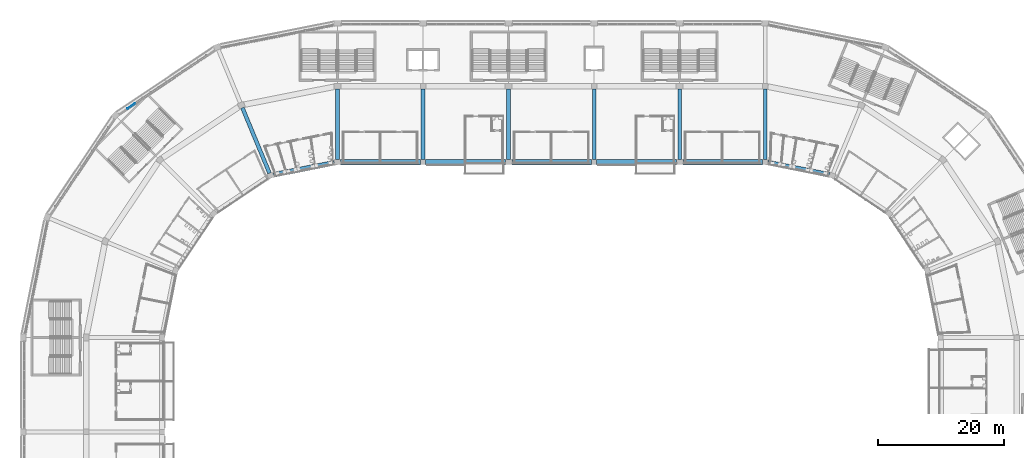
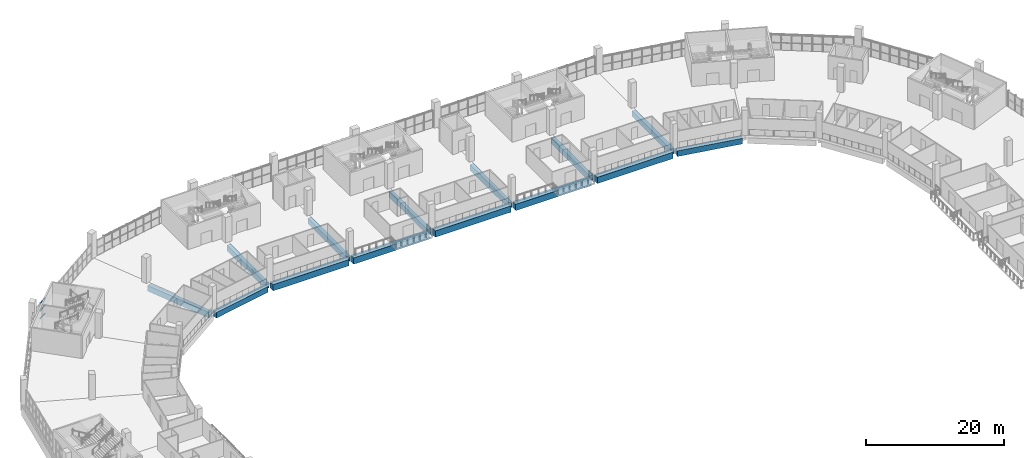
# One storey, part 40 of 199: 14 beams, 3 members, 1 element without a shape of its own.
"""IFC4 building model written with IfcOpenShell, lengths in metres."""

from ifc_helpers import new_model, si_unit, direction, frame, origin, origin_2d, place, context, subcontext, project, spatial, rectangle, extrude, material, material_profile, profile_set, type_object, element, aggregate, save


model = new_model("IFC4")

# Units and contexts
model_context = context("Model", 3, precision=1e-05, world=origin(), true_north=direction((0.0, 1.0)))
body_context = subcontext(model_context, "Body", "Model", "MODEL_VIEW")
ifc_project = project(units=[si_unit("LENGTHUNIT", "METRE"), si_unit("AREAUNIT", "SQUARE_METRE"), si_unit("VOLUMEUNIT", "CUBIC_METRE"), si_unit("PLANEANGLEUNIT", "RADIAN"), si_unit("MASSUNIT", "GRAM", prefix="KILO")], contexts=[model_context])

# Site, building, storey
site_placement = place(None, origin())
site = spatial("IfcSite", under=ifc_project, at=site_placement, CompositionType="ELEMENT")
building_placement = place(site_placement, origin())
building = spatial("IfcBuilding", under=site, at=building_placement, Name="Ogive Plaza Stadium", CompositionType="ELEMENT")
storey_placement = place(building_placement, frame((0.0, 0.0, 9.0)))
storey = spatial("IfcBuildingStorey", under=building, at=storey_placement, Name="L02", CompositionType="ELEMENT", Elevation=9.0)

# Curtain wall, members
ifc_material_1 = material(Name="Bronze-anodised aluminium with laminated glass", Category="aluminium")
curtain_wall_type = type_object("IfcCurtainWallType", Name="Lancet curtain wall", PredefinedType="NOTDEFINED", material=ifc_material_1)
curtain_wall_placement = place(storey_placement, origin())
curtain_wall = element("IfcCurtainWall", 1, at=curtain_wall_placement, inside=storey, type_object=curtain_wall_type, Name="CURTAIN WALL B30 L02", PredefinedType="NOTDEFINED")
ifc_material_2 = material(Name="Bronze-anodised aluminium", Category="aluminium")
ifc_material_profile_1 = material_profile(ifc_material_2, rectangle(XDim=0.1201171875, YDim=0.050048828125, at=origin_2d()), Name="AL 120x50")
ifc_profile_set_1 = profile_set([ifc_material_profile_1], Name="Bronze-anodised aluminium")
member_type = type_object("IfcMemberType", Name="Curtain wall transom 50x120", PredefinedType="USERDEFINED", material=ifc_profile_set_1)
member_1_placement = place(storey_placement, frame((-67.441650390625, 88.893310546875, 0.02490234375), z_axis=(0.831411982446, 0.555656472512, 0.0), x_axis=(-0.555656472512, 0.831411982446, 0.0)))
member_1 = element("IfcMember", 2, at=member_1_placement, type_object=member_type, Name="CW-B30-L02 transom 2.1", ObjectType="TRANSOM", PredefinedType="USERDEFINED", context=body_context, shape_type="SweptSolid", body=[
    extrude(rectangle(XDim=0.1201171875, YDim=0.050048828125, at=origin_2d()), origin(), (0.0, 0.0, 1.0), 1.472412109375),
])
member_2_placement = place(storey_placement, frame((-67.441650390625, 88.893310546875, 1.39501953125), z_axis=(0.831411982446, 0.555656472512, 0.0), x_axis=(-0.555656472512, 0.831411982446, 0.0)))
member_2 = element("IfcMember", 3, at=member_2_placement, type_object=member_type, Name="CW-B30-L02 transom 2.2", ObjectType="TRANSOM", PredefinedType="USERDEFINED", context=body_context, shape_type="SweptSolid", body=[
    extrude(rectangle(XDim=0.1201171875, YDim=0.050048828125, at=origin_2d()), origin(), (0.0, 0.0, 1.0), 1.472412109375),
])
member_3_placement = place(storey_placement, frame((-67.441650390625, 88.893310546875, 2.764892578125), z_axis=(0.831411982446, 0.555656472512, 0.0), x_axis=(-0.555656472512, 0.831411982446, 0.0)))
member_3 = element("IfcMember", 4, at=member_3_placement, type_object=member_type, Name="CW-B30-L02 transom 2.3", ObjectType="TRANSOM", PredefinedType="USERDEFINED", context=body_context, shape_type="SweptSolid", body=[
    extrude(rectangle(XDim=0.1201171875, YDim=0.050048828125, at=origin_2d()), origin(), (0.0, 0.0, 1.0), 1.472412109375),
])
aggregate(curtain_wall, [member_1, member_2, member_3])

# Beams
ifc_material_3 = material(Name="Concrete C40/50", Category="concrete")
ifc_material_profile_2 = material_profile(ifc_material_3, rectangle(XDim=0.60009765625, YDim=1.0, at=origin_2d()), Name="RC 600x1000")
ifc_profile_set_2 = profile_set([ifc_material_profile_2], Name="Concrete C40/50")
beam_type_1 = type_object("IfcBeamType", Name="RC radial beam 600x1000", PredefinedType="BEAM", material=ifc_profile_set_2)
beam_1_placement = place(storey_placement, frame((-44.829833984375, 78.645751953125, -0.909912109375), z_axis=(-0.382677616283, 0.92388194159, 0.0), x_axis=(-0.92388194159, -0.382677616283, 0.0)))
element("IfcBeam", 5, at=beam_1_placement, inside=storey, type_object=beam_type_1, Name="Radial beam L02 R31 F3F4", PredefinedType="BEAM", context=body_context, shape_type="SweptSolid", body=[
    extrude(rectangle(XDim=0.60009765625, YDim=1.0, at=origin_2d()), origin(), (0.0, 0.0, 1.0), 11.250244140625),
])
for number, where, z_axis, x_axis, name in (
    (6, (-34.0, 80.800048828125, -0.909912109375), (0.0, 1.0, 0.0), (-1.0, 0.0, 0.0), "Radial beam L02 R32 F3F4"),
    (7, (-20.39990234375, 80.800048828125, -0.909912109375), (0.0, 1.0, 0.0), (-1.0, 0.0, 0.0), "Radial beam L02 R33 F3F4"),
    (8, (-6.800048828125, 80.800048828125, -0.909912109375), (0.0, 1.0, 0.0), (-1.0, 0.0, 0.0), "Radial beam L02 R34 F3F4"),
    (9, (6.800048828125, 80.800048828125, -0.909912109375), (0.0, 1.0, 0.0), (-1.0, 0.0, 0.0), "Radial beam L02 R35 F3F4"),
    (10, (20.39990234375, 80.800048828125, -0.909912109375), (0.0, 1.0, 0.0), (-1.0, 0.0, 0.0), "Radial beam L02 R36 F3F4"),
    (11, (34.0, 80.800048828125, -0.909912109375), (0.0, 1.0, 0.0), (-1.0, 0.0, 0.0), "Radial beam L02 R37 F3F4"),
):
    element("IfcBeam", number, at=place(storey_placement, frame(where, z_axis=z_axis, x_axis=x_axis)), inside=storey, type_object=beam_type_1, Name=name, PredefinedType="BEAM", context=body_context, shape_type="SweptSolid", body=[
        extrude(rectangle(XDim=0.60009765625, YDim=1.0, at=origin_2d()), origin(), (0.0, 0.0, 1.0), 11.25),
    ])
ifc_material_4 = material(Name="Concrete C40/50", Category="concrete")
ifc_material_profile_3 = material_profile(ifc_material_4, rectangle(XDim=0.800048828125, YDim=1.0, at=origin_2d()), Name="RC 800x1000")
ifc_profile_set_3 = profile_set([ifc_material_profile_3], Name="Concrete C40/50")
beam_type_2 = type_object("IfcBeamType", Name="RC ring beam 800x1000", PredefinedType="BEAM", material=ifc_profile_set_3)
beam_2_placement = place(storey_placement, frame((-44.226806640625, 78.36572265625, -0.909912109375), z_axis=(0.980784656884, 0.195093456635, 0.0), x_axis=(-0.195093456635, 0.980784656884, 0.0)))
element("IfcBeam", 12, at=beam_2_placement, inside=storey, type_object=beam_type_2, Name="Ring beam F3 L02 B31", PredefinedType="BEAM", context=body_context, shape_type="SweptSolid", body=[
    extrude(rectangle(XDim=0.800048828125, YDim=1.0, at=origin_2d()), origin(), (0.0, 0.0, 1.0), 9.91748046875),
])
beam_3_placement = place(storey_placement, frame((34.39990234375, 80.320556640625, -0.909912109375), z_axis=(0.980782584064, -0.195103876937, 0.0), x_axis=(0.195103876937, 0.980782584064, 0.0)))
element("IfcBeam", 13, at=beam_3_placement, inside=storey, type_object=beam_type_2, Name="Ring beam F3 L02 B37", PredefinedType="BEAM", context=body_context, shape_type="SweptSolid", body=[
    extrude(rectangle(XDim=0.800048828125, YDim=1.0, at=origin_2d()), origin(), (0.0, 0.0, 1.0), 10.01953125),
])
ifc_material_5 = material(Name="Concrete C40/50", Category="concrete")
ifc_material_profile_4 = material_profile(ifc_material_5, rectangle(XDim=0.89990234375, YDim=1.10009765625, at=origin_2d()), Name="RC 900x1100")
ifc_profile_set_4 = profile_set([ifc_material_profile_4], Name="Concrete C40/50")
beam_type_3 = type_object("IfcBeamType", Name="RC ring beam 900x1100", PredefinedType="BEAM", material=ifc_profile_set_4)
for number, where, z_axis, x_axis, name in (
    (14, (-33.5, 80.39990234375, -0.9599609375), (1.0, 0.0, 0.0), (0.0, 1.0, 0.0), "Ring beam F3 L02 B32"),
    (15, (-20.0, 80.39990234375, -0.9599609375), (1.0, 0.0, 0.0), (0.0, 1.0, 0.0), "Ring beam F3 L02 B33"),
    (16, (-6.300048828125, 80.39990234375, -0.9599609375), (1.0, 0.0, 0.0), (0.0, 1.0, 0.0), "Ring beam F3 L02 B34"),
    (17, (7.199951171875, 80.39990234375, -0.9599609375), (1.0, 0.0, 0.0), (0.0, 1.0, 0.0), "Ring beam F3 L02 B35"),
):
    element("IfcBeam", number, at=place(storey_placement, frame(where, z_axis=z_axis, x_axis=x_axis)), inside=storey, type_object=beam_type_3, Name=name, PredefinedType="BEAM", context=body_context, shape_type="SweptSolid", body=[
        extrude(rectangle(XDim=0.89990234375, YDim=1.10009765625, at=origin_2d()), origin(), (0.0, 0.0, 1.0), 12.699951171875),
    ])
beam_4_placement = place(storey_placement, frame((20.89990234375, 80.39990234375, -0.9599609375), z_axis=(1.0, 0.0, 0.0), x_axis=(0.0, 1.0, 0.0)))
element("IfcBeam", 18, at=beam_4_placement, inside=storey, type_object=beam_type_3, Name="Ring beam F3 L02 B36", PredefinedType="BEAM", context=body_context, shape_type="SweptSolid", body=[
    extrude(rectangle(XDim=0.89990234375, YDim=1.10009765625, at=origin_2d()), origin(), (0.0, 0.0, 1.0), 12.7001953125),
])

save(model, "model.ifc")
